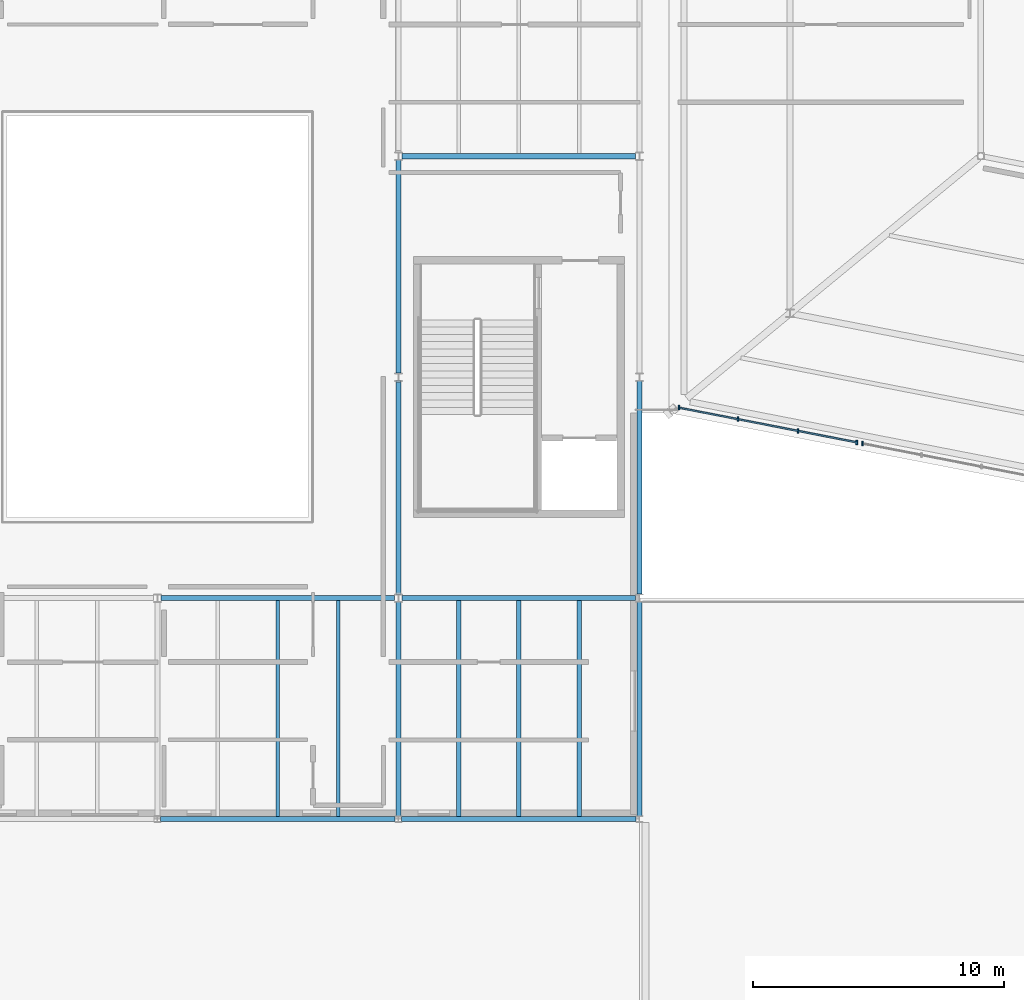
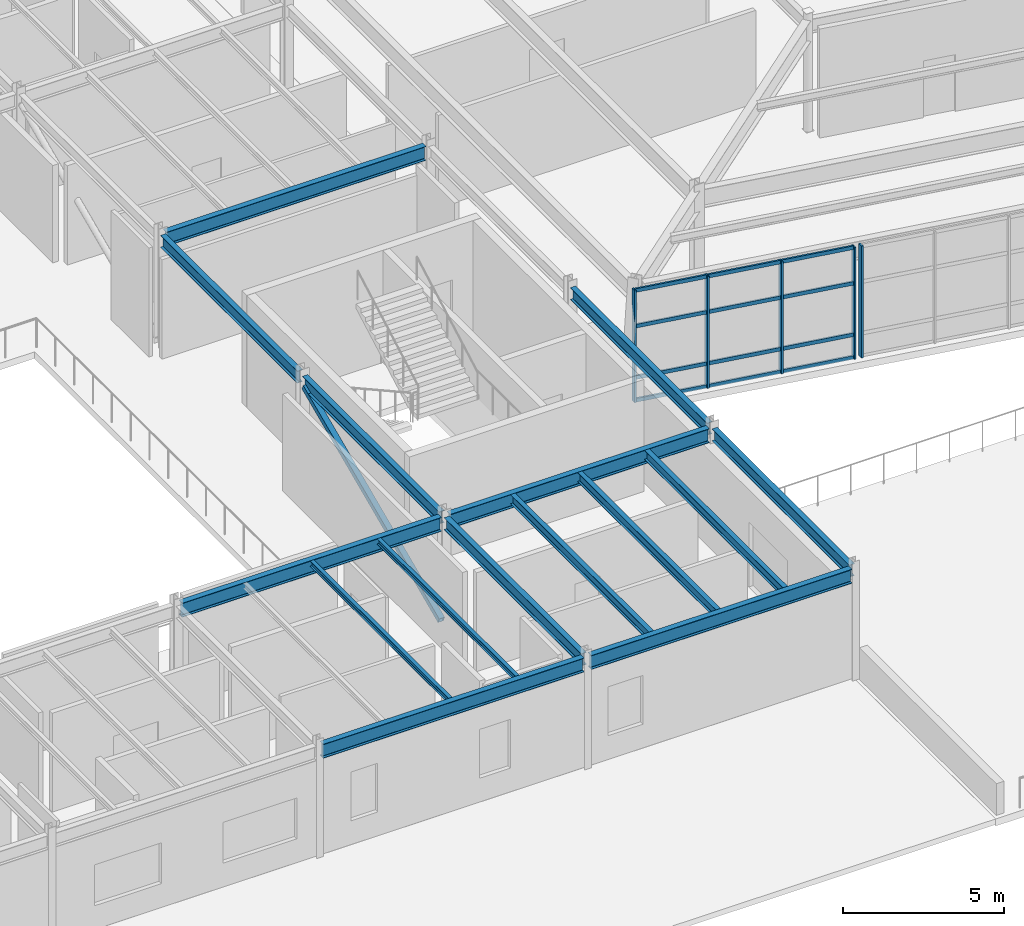
# One storey, part 22 of 69: 15 beams, 10 members, 2 elements without a shape of their own.
"""IFC4 building model written with IfcOpenShell, lengths in metres."""

from ifc_helpers import new_model, si_unit, direction, frame, origin, origin_2d, place, context, subcontext, project, spatial, rectangle, hollow_rectangle, i_section, extrude, material, material_profile, profile_set, type_object, element, aggregate, save


model = new_model("IFC4")

# Units and contexts
model_context = context("Model", 3, precision=1e-05, world=origin(), true_north=direction((0.0, 1.0)))
body_context = subcontext(model_context, "Body", "Model", "MODEL_VIEW")
ifc_project = project(units=[si_unit("LENGTHUNIT", "METRE"), si_unit("AREAUNIT", "SQUARE_METRE"), si_unit("VOLUMEUNIT", "CUBIC_METRE"), si_unit("PLANEANGLEUNIT", "RADIAN"), si_unit("MASSUNIT", "GRAM", prefix="KILO")], contexts=[model_context])

# Site, building, storey
site_placement = place(None, origin())
site = spatial("IfcSite", under=ifc_project, at=site_placement, CompositionType="ELEMENT")
building_placement = place(site_placement, origin())
building = spatial("IfcBuilding", under=site, at=building_placement, Name="Sarnbrook Museum", CompositionType="ELEMENT")
storey_placement = place(building_placement, frame((0.0, 0.0, 14.60009765625)))
storey = spatial("IfcBuildingStorey", under=building, at=storey_placement, Name="L03", CompositionType="ELEMENT", Elevation=14.60009765625)

# Beams
ifc_material_1 = material(Name="Structural Steel Grade 300PLUS (AS/NZS 3679.1, fy = 280 MPa for 17 < t <= 40 mm, 300 MPa for t <= 17 mm)", Category="steel")
ifc_material_profile_1 = material_profile(ifc_material_1, i_section(OverallWidth=0.18994140625, OverallDepth=0.45703125, WebThickness=0.009033203125, FlangeThickness=0.014404296875, FilletRadius=0.011474609375, at=origin_2d()), Name="460UB74.6")
ifc_profile_set_1 = profile_set([ifc_material_profile_1], Name="Structural Steel Grade 300PLUS (AS/NZS 3679.1, fy = 280 MPa for 17 < t <= 40 mm, 300 MPa for t <= 17 mm)")
beam_type_1 = type_object("IfcBeamType", Name="BM-UB460", PredefinedType="BEAM", material=ifc_profile_set_1)
beam_1_placement = place(storey_placement, frame((109.60009765625, 48.126953125, 4.00146484375), z_axis=(0.0, 1.0, 0.0), x_axis=(-1.0, 0.0, 0.0)))
element("IfcBeam", 1, at=beam_1_placement, inside=storey, type_object=beam_type_1, Name="Girder 12:F-G L03", PredefinedType="BEAM", context=body_context, shape_type="SweptSolid", body=[
    extrude(i_section(OverallWidth=0.18994140625, OverallDepth=0.45703125, WebThickness=0.009033203125, FlangeThickness=0.014404296875, FilletRadius=0.011474609375, at=origin_2d()), origin(), (0.0, 0.0, 1.0), 8.515625),
])
for number, where, z_axis, x_axis, name in (
    (2, (109.60009765625, 56.95751953125, 4.021484375), (0.0, 1.0, 0.0), (-1.0, 0.0, 0.0), "Girder 12:G-H L03"),
    (3, (109.60009765625, 65.757568359375, 4.021484375), (0.0, 1.0, 0.0), (-1.0, 0.0, 0.0), "Girder 12:H-J L03"),
):
    element("IfcBeam", number, at=place(storey_placement, frame(where, z_axis=z_axis, x_axis=x_axis)), inside=storey, type_object=beam_type_1, Name=name, PredefinedType="BEAM", context=body_context, shape_type="SweptSolid", body=[
        extrude(i_section(OverallWidth=0.18994140625, OverallDepth=0.45703125, WebThickness=0.009033203125, FlangeThickness=0.014404296875, FilletRadius=0.011474609375, at=origin_2d()), origin(), (0.0, 0.0, 1.0), 8.48486328125),
    ])
beam_2_placement = place(storey_placement, frame((119.199951171875, 48.126953125, 4.00146484375), z_axis=(0.0, 1.0, 0.0), x_axis=(-1.0, 0.0, 0.0)))
element("IfcBeam", 4, at=beam_2_placement, inside=storey, type_object=beam_type_1, Name="Girder 13:F-G L03", PredefinedType="BEAM", context=body_context, shape_type="SweptSolid", body=[
    extrude(i_section(OverallWidth=0.18994140625, OverallDepth=0.45703125, WebThickness=0.009033203125, FlangeThickness=0.014404296875, FilletRadius=0.011474609375, at=origin_2d()), origin(), (0.0, 0.0, 1.0), 8.515625),
])
beam_3_placement = place(storey_placement, frame((119.199951171875, 56.95751953125, 4.021484375), z_axis=(0.0, 1.0, 0.0), x_axis=(-1.0, 0.0, 0.0)))
element("IfcBeam", 5, at=beam_3_placement, inside=storey, type_object=beam_type_1, Name="Girder 13:G-H L03", PredefinedType="BEAM", context=body_context, shape_type="SweptSolid", body=[
    extrude(i_section(OverallWidth=0.18994140625, OverallDepth=0.45703125, WebThickness=0.009033203125, FlangeThickness=0.014404296875, FilletRadius=0.011474609375, at=origin_2d()), origin(), (0.0, 0.0, 1.0), 8.48486328125),
])
ifc_material_profile_2 = material_profile(ifc_material_1, i_section(OverallWidth=0.208984375, OverallDepth=0.532958984375, WebThickness=0.01025390625, FlangeThickness=0.015625, FilletRadius=0.013916015625, at=origin_2d()), Name="530UB92.4")
ifc_profile_set_2 = profile_set([ifc_material_profile_2], Name="Structural Steel Grade 300PLUS (AS/NZS 3679.1, fy = 280 MPa for 17 < t <= 40 mm, 300 MPa for t <= 17 mm)")
beam_type_2 = type_object("IfcBeamType", Name="BM-UB530", PredefinedType="BEAM", material=ifc_profile_set_2)
for number, where, z_axis, x_axis, name in (
    (6, (100.126953125, 48.0, 3.96337890625), (1.0, 0.0, 0.0), (0.0, 1.0, 0.0), "Girder F:11-12 L03"),
    (7, (109.72705078125, 48.0, 3.96337890625), (1.0, 0.0, 0.0), (0.0, 1.0, 0.0), "Girder F:12-13 L03"),
):
    element("IfcBeam", number, at=place(storey_placement, frame(where, z_axis=z_axis, x_axis=x_axis)), inside=storey, type_object=beam_type_2, Name=name, PredefinedType="BEAM", context=body_context, shape_type="SweptSolid", body=[
        extrude(i_section(OverallWidth=0.208984375, OverallDepth=0.532958984375, WebThickness=0.01025390625, FlangeThickness=0.015625, FilletRadius=0.013916015625, at=origin_2d()), origin(), (0.0, 0.0, 1.0), 9.345947265625),
    ])
for number, where, z_axis, x_axis, name in (
    (8, (100.153564453125, 56.800048828125, 3.96337890625), (1.0, 0.0, 0.0), (0.0, 1.0, 0.0), "Girder G:11-12 L03"),
    (9, (109.75341796875, 56.800048828125, 3.96337890625), (1.0, 0.0, 0.0), (0.0, 1.0, 0.0), "Girder G:12-13 L03"),
    (10, (109.75341796875, 74.39990234375, 3.9833984375), (1.0, 0.0, 0.0), (0.0, 1.0, 0.0), "Girder J:12-13 L03"),
):
    element("IfcBeam", number, at=place(storey_placement, frame(where, z_axis=z_axis, x_axis=x_axis)), inside=storey, type_object=beam_type_2, Name=name, PredefinedType="BEAM", context=body_context, shape_type="SweptSolid", body=[
        extrude(i_section(OverallWidth=0.208984375, OverallDepth=0.532958984375, WebThickness=0.01025390625, FlangeThickness=0.015625, FilletRadius=0.013916015625, at=origin_2d()), origin(), (0.0, 0.0, 1.0), 9.29296875),
    ])

# Member
ifc_material_2 = material(Name="Structural Steel Hollow Section Grade C350L0 (AS/NZS 1163, fy = 350 MPa)", Category="steel")
ifc_material_profile_3 = material_profile(ifc_material_2, hollow_rectangle(XDim=0.199951171875, YDim=0.199951171875, WallThickness=0.010009765625, at=origin_2d()), Name="200x200x10.0SHS")
ifc_profile_set_3 = profile_set([ifc_material_profile_3], Name="Structural Steel Hollow Section Grade C350L0 (AS/NZS 1163, fy = 350 MPa)")
member_type_1 = type_object("IfcMemberType", Name="CH-SHS200", PredefinedType="CHORD", material=ifc_profile_set_3)
member_1_placement = place(storey_placement, frame((109.60009765625, 56.97998046875, 0.119873046875), z_axis=(0.0, 0.914658395799, 0.404227682124), x_axis=(-1.0, 0.0, 0.0)))
element("IfcMember", 11, at=member_1_placement, inside=storey, type_object=member_type_1, Name="Lateral Diagonal Brace CBF-2 L03", PredefinedType="CHORD", context=body_context, shape_type="SweptSolid", body=[
    extrude(hollow_rectangle(XDim=0.199951171875, YDim=0.199951171875, WallThickness=0.010009765625, at=origin_2d()), origin(), (0.0, 0.0, 1.0), 9.2275390625),
])

# Curtain wall, members
ifc_material_3 = material(Name="Thermally Broken Anodised Aluminium 6063-T6", Category="aluminium")
curtain_wall_type = type_object("IfcCurtainWallType", Name="CurtainWall_CrystalFacet", PredefinedType="NOTDEFINED", material=ifc_material_3)
curtain_wall_1_placement = place(storey_placement, origin())
curtain_wall_1 = element("IfcCurtainWall", 12, at=curtain_wall_1_placement, inside=storey, type_object=curtain_wall_type, Name="Crystal Hall Facet Curtain Wall L03-F1.1", PredefinedType="NOTDEFINED")
ifc_material_profile_4 = material_profile(ifc_material_3, rectangle(XDim=0.06494140625, YDim=0.179931640625, at=origin_2d()), Name="ALU MULLION 65x180")
ifc_profile_set_4 = profile_set([ifc_material_profile_4], Name="Thermally Broken Anodised Aluminium 6063-T6")
member_type_2 = type_object("IfcMemberType", Name="CW_Mullion_180x75", PredefinedType="MULLION", material=ifc_profile_set_4)
member_2_placement = place(storey_placement, frame((120.78173828125, 64.38330078125, 0.0), z_axis=(0.0, 0.0, 1.0), x_axis=(1.0, 0.0, 0.0)))
member_2 = element("IfcMember", 13, at=member_2_placement, type_object=member_type_2, Name="Crystal Hall Facet Curtain Wall L03-F1.1 Mullion 1", PredefinedType="MULLION", context=body_context, shape_type="SweptSolid", body=[
    extrude(rectangle(XDim=0.06494140625, YDim=0.179931640625, at=origin_2d()), origin(), (0.0, 0.0, 1.0), 4.239990234375),
])
member_3_placement = place(storey_placement, frame((123.126953125, 63.92626953125, 0.0), z_axis=(0.0, 0.0, 1.0), x_axis=(1.0, 0.0, 0.0)))
member_3 = element("IfcMember", 14, at=member_3_placement, type_object=member_type_2, Name="Crystal Hall Facet Curtain Wall L03-F1.1 Mullion 2", PredefinedType="MULLION", context=body_context, shape_type="SweptSolid", body=[
    extrude(rectangle(XDim=0.06494140625, YDim=0.179931640625, at=origin_2d()), origin(), (0.0, 0.0, 1.0), 4.239990234375),
])
member_4_placement = place(storey_placement, frame((125.51123046875, 63.46142578125, 0.0), z_axis=(0.0, 0.0, 1.0), x_axis=(1.0, 0.0, 0.0)))
member_4 = element("IfcMember", 15, at=member_4_placement, type_object=member_type_2, Name="Crystal Hall Facet Curtain Wall L03-F1.1 Mullion 3", PredefinedType="MULLION", context=body_context, shape_type="SweptSolid", body=[
    extrude(rectangle(XDim=0.06494140625, YDim=0.179931640625, at=origin_2d()), origin(), (0.0, 0.0, 1.0), 4.239990234375),
])
member_5_placement = place(storey_placement, frame((127.856201171875, 63.00439453125, 0.0), z_axis=(0.0, 0.0, 1.0), x_axis=(1.0, 0.0, 0.0)))
member_5 = element("IfcMember", 16, at=member_5_placement, type_object=member_type_2, Name="Crystal Hall Facet Curtain Wall L03-F1.1 Mullion 4", PredefinedType="MULLION", context=body_context, shape_type="SweptSolid", body=[
    extrude(rectangle(XDim=0.06494140625, YDim=0.179931640625, at=origin_2d()), origin(), (0.0, 0.0, 1.0), 4.239990234375),
])

# Curtain wall, member
curtain_wall_2_placement = place(storey_placement, origin())
curtain_wall_2 = element("IfcCurtainWall", 17, at=curtain_wall_2_placement, inside=storey, type_object=curtain_wall_type, Name="Crystal Hall Facet Curtain Wall L03-F1.2", PredefinedType="NOTDEFINED")
member_6_placement = place(storey_placement, frame((128.091796875, 62.95849609375, 0.0), z_axis=(0.0, 0.0, 1.0), x_axis=(1.0, 0.0, 0.0)))
member_6 = element("IfcMember", 18, at=member_6_placement, type_object=member_type_2, Name="Crystal Hall Facet Curtain Wall L03-F1.2 Mullion 1", PredefinedType="MULLION", context=body_context, shape_type="SweptSolid", body=[
    extrude(rectangle(XDim=0.06494140625, YDim=0.179931640625, at=origin_2d()), origin(), (0.0, 0.0, 1.0), 4.239990234375),
])
aggregate(curtain_wall_2, [member_6])

# Member
ifc_material_profile_5 = material_profile(ifc_material_3, rectangle(XDim=0.06494140625, YDim=0.139892578125, at=origin_2d()), Name="ALU TRANSOM 65x140")
ifc_profile_set_5 = profile_set([ifc_material_profile_5], Name="Thermally Broken Anodised Aluminium 6063-T6")
member_type_3 = type_object("IfcMemberType", Name="CW_Transom_150x65", PredefinedType="USERDEFINED", material=ifc_profile_set_5)
member_7_placement = place(storey_placement, frame((120.79150390625, 64.38134765625, 0.039794921875), z_axis=(0.981525301363, -0.191332388226, 0.0), x_axis=(0.191332388226, 0.981525301363, 0.0)))
member_7 = element("IfcMember", 19, at=member_7_placement, type_object=member_type_3, Name="Crystal Hall Facet Curtain Wall L03-F1.1 Transom 1", ObjectType="TRANSOM", PredefinedType="USERDEFINED", context=body_context, shape_type="SweptSolid", body=[
    extrude(rectangle(XDim=0.06494140625, YDim=0.139892578125, at=origin_2d()), origin(), (0.0, 0.0, 1.0), 7.187744140625),
])

member_8_placement = place(storey_placement, frame((120.79150390625, 64.38134765625, 0.89990234375), z_axis=(0.981525301363, -0.191332388226, 0.0), x_axis=(0.191332388226, 0.981525301363, 0.0)))
member_8 = element("IfcMember", 20, at=member_8_placement, type_object=member_type_3, Name="Crystal Hall Facet Curtain Wall L03-F1.1 Transom 2", ObjectType="TRANSOM", PredefinedType="USERDEFINED", context=body_context, shape_type="SweptSolid", body=[
    extrude(rectangle(XDim=0.06494140625, YDim=0.139892578125, at=origin_2d()), origin(), (0.0, 0.0, 1.0), 7.187744140625),
])

member_9_placement = place(storey_placement, frame((120.79150390625, 64.38134765625, 2.849853515625), z_axis=(0.981525301363, -0.191332388226, 0.0), x_axis=(0.191332388226, 0.981525301363, 0.0)))
member_9 = element("IfcMember", 21, at=member_9_placement, type_object=member_type_3, Name="Crystal Hall Facet Curtain Wall L03-F1.1 Transom 3", ObjectType="TRANSOM", PredefinedType="USERDEFINED", context=body_context, shape_type="SweptSolid", body=[
    extrude(rectangle(XDim=0.06494140625, YDim=0.139892578125, at=origin_2d()), origin(), (0.0, 0.0, 1.0), 7.187744140625),
])

member_10_placement = place(storey_placement, frame((120.79150390625, 64.38134765625, 4.199951171875), z_axis=(0.981525301363, -0.191332388226, 0.0), x_axis=(0.191332388226, 0.981525301363, 0.0)))
member_10 = element("IfcMember", 22, at=member_10_placement, type_object=member_type_3, Name="Crystal Hall Facet Curtain Wall L03-F1.1 Transom 4", ObjectType="TRANSOM", PredefinedType="USERDEFINED", context=body_context, shape_type="SweptSolid", body=[
    extrude(rectangle(XDim=0.06494140625, YDim=0.139892578125, at=origin_2d()), origin(), (0.0, 0.0, 1.0), 7.187744140625),
])

aggregate(curtain_wall_1, [member_2, member_3, member_4, member_5, member_7, member_8, member_9, member_10])

# Beams
ifc_material_profile_6 = material_profile(ifc_material_1, i_section(OverallWidth=0.134033203125, OverallDepth=0.20703125, WebThickness=0.00634765625, FlangeThickness=0.009521484375, FilletRadius=0.0087890625, at=origin_2d()), Name="200UB29.8")
ifc_profile_set_6 = profile_set([ifc_material_profile_6], Name="Structural Steel Grade 300PLUS (AS/NZS 3679.1, fy = 280 MPa for 17 < t <= 40 mm, 300 MPa for t <= 17 mm)")
beam_type_3 = type_object("IfcBeamType", Name="JS-UB200", PredefinedType="JOIST", material=ifc_profile_set_6)
for number, where, z_axis, x_axis, name in (
    (23, (104.800048828125, 48.1044921875, 4.12646484375), (0.0, 1.0, 0.0), (-1.0, 0.0, 0.0), "Composite Floor Joist 11F-2 L03"),
    (24, (107.199951171875, 48.1044921875, 4.12646484375), (0.0, 1.0, 0.0), (-1.0, 0.0, 0.0), "Composite Floor Joist 11F-3 L03"),
):
    element("IfcBeam", number, at=place(storey_placement, frame(where, z_axis=z_axis, x_axis=x_axis)), inside=storey, type_object=beam_type_3, Name=name, PredefinedType="JOIST", context=body_context, shape_type="SweptSolid", body=[
        extrude(i_section(OverallWidth=0.134033203125, OverallDepth=0.20703125, WebThickness=0.00634765625, FlangeThickness=0.009521484375, FilletRadius=0.0087890625, at=origin_2d()), origin(), (0.0, 0.0, 1.0), 8.591064453125),
    ])
ifc_material_profile_7 = material_profile(ifc_material_1, i_section(OverallWidth=0.1708984375, OverallDepth=0.35595703125, WebThickness=0.00732421875, FlangeThickness=0.011474609375, FilletRadius=0.011474609375, at=origin_2d()), Name="360UB50.7")
ifc_profile_set_7 = profile_set([ifc_material_profile_7], Name="Structural Steel Grade 300PLUS (AS/NZS 3679.1, fy = 280 MPa for 17 < t <= 40 mm, 300 MPa for t <= 17 mm)")
beam_type_4 = type_object("IfcBeamType", Name="JS-UB360", PredefinedType="JOIST", material=ifc_profile_set_7)
for number, where, z_axis, x_axis, name in (
    (25, (112.0, 48.1044921875, 4.052001953125), (0.0, 1.0, 0.0), (-1.0, 0.0, 0.0), "Composite Floor Joist 12F-1 L03"),
    (26, (114.39990234375, 48.1044921875, 4.052001953125), (0.0, 1.0, 0.0), (-1.0, 0.0, 0.0), "Composite Floor Joist 12F-2 L03"),
    (27, (116.800048828125, 48.1044921875, 4.052001953125), (0.0, 1.0, 0.0), (-1.0, 0.0, 0.0), "Composite Floor Joist 12F-3 L03"),
):
    element("IfcBeam", number, at=place(storey_placement, frame(where, z_axis=z_axis, x_axis=x_axis)), inside=storey, type_object=beam_type_4, Name=name, PredefinedType="JOIST", context=body_context, shape_type="SweptSolid", body=[
        extrude(i_section(OverallWidth=0.1708984375, OverallDepth=0.35595703125, WebThickness=0.00732421875, FlangeThickness=0.011474609375, FilletRadius=0.011474609375, at=origin_2d()), origin(), (0.0, 0.0, 1.0), 8.591064453125),
    ])

save(model, "model.ifc")
